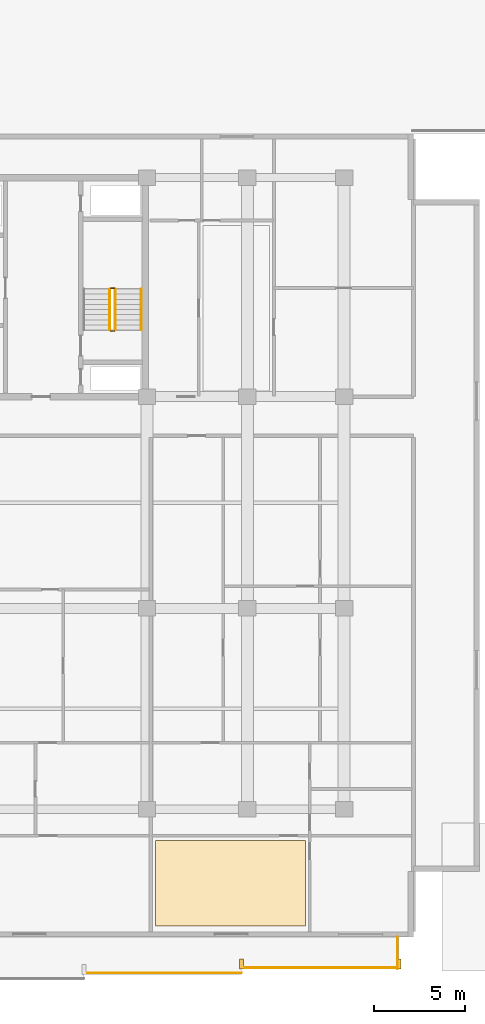
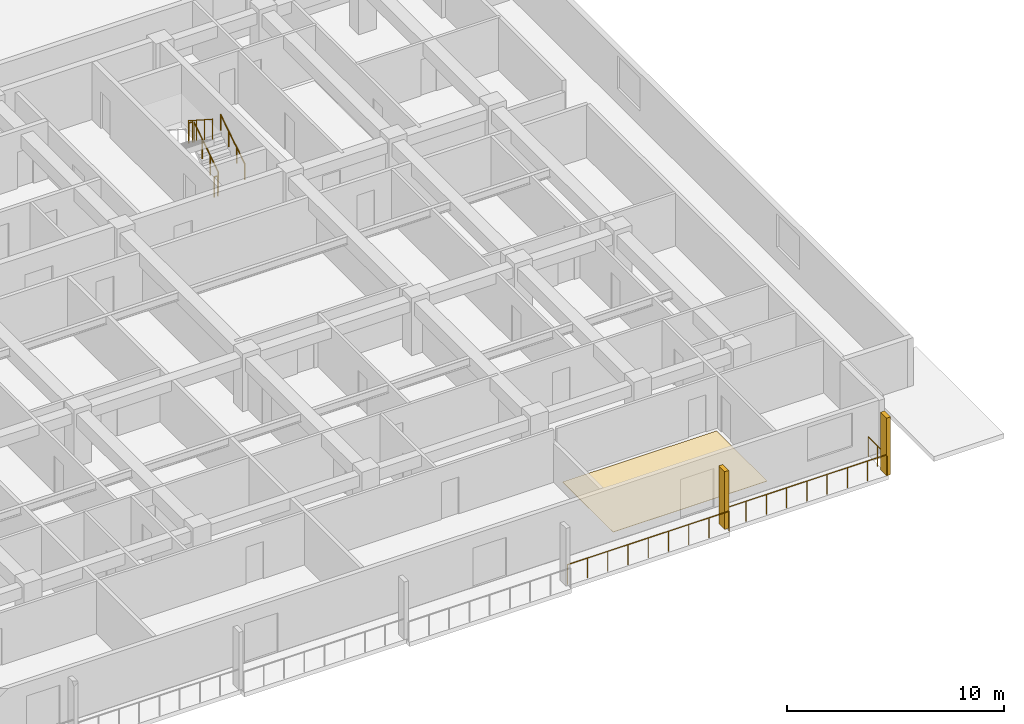
# One storey, part 21 of 24: 8 railings, 2 shading devices, 1 covering.
"""IFC4 building model written with IfcOpenShell, lengths in metres."""

from ifc_helpers import new_model, si_unit, direction, frame, origin, origin_2d, place, context, subcontext, project, spatial, polyline, rectangle, circle, outline, extrude, material, layer, layer_set, type_object, element, save


model = new_model("IFC4")

# Units and contexts
model_context = context("Model", 3, precision=1e-05, world=origin(), true_north=direction((0.0, 1.0)))
body_context = subcontext(model_context, "Body", "Model", "MODEL_VIEW")
ifc_project = project(units=[si_unit("LENGTHUNIT", "METRE"), si_unit("AREAUNIT", "SQUARE_METRE"), si_unit("VOLUMEUNIT", "CUBIC_METRE"), si_unit("PLANEANGLEUNIT", "RADIAN"), si_unit("MASSUNIT", "GRAM", prefix="KILO")], contexts=[model_context])

# Site, building, storey
site_placement = place(None, origin())
site = spatial("IfcSite", under=ifc_project, at=site_placement, CompositionType="ELEMENT")
building_placement = place(site_placement, origin())
building = spatial("IfcBuilding", under=site, at=building_placement, Name="Korimba Cascade Residences", CompositionType="ELEMENT")
storey_placement = place(building_placement, frame((0.0, 0.0, 24.0)))
storey = spatial("IfcBuildingStorey", under=building, at=storey_placement, Name="L05", CompositionType="ELEMENT", Elevation=24.0)

# Covering
ifc_material_1 = material(Name="Engineered Spotted-Gum Timber Flooring", Category="wood")
ifc_layer = layer(ifc_material_1, 0.02001953125)
ifc_layer_set = layer_set([ifc_layer], Name="Engineered Spotted-Gum Timber Flooring")
covering_type = type_object("IfcCoveringType", Name="COV-FLR-TIM", PredefinedType="FLOORING", material=ifc_layer_set)
covering_placement = place(storey_placement, origin())
element("IfcCovering", 1, at=covering_placement, inside=storey, type_object=covering_type, Name="L05 Spotted-Gum Timber Flooring L05-T2-U05-L", PredefinedType="FLOORING", context=body_context, shape_type="SweptSolid", body=[
    extrude(outline(polyline([(118.5771484375, -10.580078125), (126.7900390625, -10.580078125), (126.7900390625, -5.919921875), (118.5771484375, -5.919921875), (118.5771484375, -10.580078125)])), origin(), (0.0, 0.0, 1.0), 0.02001953125),
])

# Railings
ifc_material_2 = material(Name="Laminated Glass and Bronze Balustrade", Category="glass")
railing_type_1 = type_object("IfcRailingType", Name="RLG-LOG-1150", PredefinedType="BALUSTRADE", material=ifc_material_2)
railing_1_placement = place(storey_placement, frame((114.642822265625, -13.169921875, 0.0)))
element("IfcRailing", 2, at=railing_1_placement, inside=storey, type_object=railing_type_1, Name="L05 Perimeter Guardrail RLG-L05-T2-LOG-05", PredefinedType="BALUSTRADE", context=body_context, shape_type="SweptSolid", body=[
    extrude(circle(Radius=0.02392578125, at=origin_2d()), frame((0.0, 0.0, 1.1259765625), z_axis=(1.0, 0.0, 0.0), x_axis=(0.0, 1.0, 0.0)), (0.0, 0.0, 1.0), 8.628662109375),
    extrude(circle(Radius=0.02099609375, at=origin_2d()), origin(), (0.0, 0.0, 1.0), 1.101806640625),
    extrude(circle(Radius=0.02099609375, at=origin_2d()), frame((1.07861328125, 0.0, 0.0)), (0.0, 0.0, 1.0), 1.101806640625),
    extrude(circle(Radius=0.02099609375, at=origin_2d()), frame((2.1572265625, 0.0, 0.0)), (0.0, 0.0, 1.0), 1.101806640625),
    extrude(circle(Radius=0.02099609375, at=origin_2d()), frame((3.23583984375, 0.0, 0.0)), (0.0, 0.0, 1.0), 1.101806640625),
    extrude(circle(Radius=0.02099609375, at=origin_2d()), frame((4.314453125, 0.0, 0.0)), (0.0, 0.0, 1.0), 1.101806640625),
    extrude(circle(Radius=0.02099609375, at=origin_2d()), frame((5.392822265625, 0.0, 0.0)), (0.0, 0.0, 1.0), 1.101806640625),
    extrude(circle(Radius=0.02099609375, at=origin_2d()), frame((6.471435546875, 0.0, 0.0)), (0.0, 0.0, 1.0), 1.101806640625),
    extrude(circle(Radius=0.02099609375, at=origin_2d()), frame((7.550048828125, 0.0, 0.0)), (0.0, 0.0, 1.0), 1.101806640625),
    extrude(circle(Radius=0.02099609375, at=origin_2d()), frame((8.628662109375, 0.0, 0.0)), (0.0, 0.0, 1.0), 1.101806640625),
])
railing_2_placement = place(storey_placement, frame((123.271484375, -12.8701171875, 0.0)))
element("IfcRailing", 3, at=railing_2_placement, inside=storey, type_object=railing_type_1, Name="L05 Perimeter Guardrail RLG-L05-T2-LOG-06", PredefinedType="BALUSTRADE", context=body_context, shape_type="SweptSolid", body=[
    extrude(circle(Radius=0.02392578125, at=origin_2d()), frame((0.0, 0.0, 1.1259765625), z_axis=(1.0, 0.0, 0.0), x_axis=(0.0, 1.0, 0.0)), (0.0, 0.0, 1.0), 8.62841796875),
    extrude(circle(Radius=0.02099609375, at=origin_2d()), origin(), (0.0, 0.0, 1.0), 1.101806640625),
    extrude(circle(Radius=0.02099609375, at=origin_2d()), frame((1.07861328125, 0.0, 0.0)), (0.0, 0.0, 1.0), 1.101806640625),
    extrude(circle(Radius=0.02099609375, at=origin_2d()), frame((2.1572265625, 0.0, 0.0)), (0.0, 0.0, 1.0), 1.101806640625),
    extrude(circle(Radius=0.02099609375, at=origin_2d()), frame((3.235595703125, 0.0, 0.0)), (0.0, 0.0, 1.0), 1.101806640625),
    extrude(circle(Radius=0.02099609375, at=origin_2d()), frame((4.314208984375, 0.0, 0.0)), (0.0, 0.0, 1.0), 1.101806640625),
    extrude(circle(Radius=0.02099609375, at=origin_2d()), frame((5.392822265625, 0.0, 0.0)), (0.0, 0.0, 1.0), 1.101806640625),
    extrude(circle(Radius=0.02099609375, at=origin_2d()), frame((6.47119140625, 0.0, 0.0)), (0.0, 0.0, 1.0), 1.101806640625),
    extrude(circle(Radius=0.02099609375, at=origin_2d()), frame((7.5498046875, 0.0, 0.0)), (0.0, 0.0, 1.0), 1.101806640625),
    extrude(circle(Radius=0.02099609375, at=origin_2d()), frame((8.62841796875, 0.0, 0.0)), (0.0, 0.0, 1.0), 1.101806640625),
])
railing_3_placement = place(storey_placement, frame((131.820068359375, -12.949951171875, 0.0)))
element("IfcRailing", 4, at=railing_3_placement, inside=storey, type_object=railing_type_1, Name="L05 Perimeter Guardrail RLG-L05-T2-LOG-07", PredefinedType="BALUSTRADE", context=body_context, shape_type="SweptSolid", body=[
    extrude(circle(Radius=0.02392578125, at=origin_2d()), frame((0.0, 0.0, 1.1259765625), z_axis=(0.0, 1.0, 0.0), x_axis=(-1.0, 0.0, 0.0)), (0.0, 0.0, 1.0), 1.75),
    extrude(circle(Radius=0.02099609375, at=origin_2d()), origin(), (0.0, 0.0, 1.0), 1.101806640625),
    extrude(circle(Radius=0.02099609375, at=origin_2d()), frame((0.0, 0.875, 0.0)), (0.0, 0.0, 1.0), 1.101806640625),
    extrude(circle(Radius=0.02099609375, at=origin_2d()), frame((0.0, 1.75, 0.0)), (0.0, 0.0, 1.0), 1.101806640625),
])
ifc_material_3 = material(Name="Painted Steel Stairwell Guardrail", Category="steel")
railing_type_2 = type_object("IfcRailingType", Name="RLG-ST-GD1150", PredefinedType="GUARDRAIL", material=ifc_material_3)
railing_4_placement = place(storey_placement, frame((116.3701171875, 22.050048828125, 0.1806640625)))
element("IfcRailing", 5, at=railing_4_placement, inside=storey, type_object=railing_type_2, Name="L05 ST-E2 stair guard 1", PredefinedType="GUARDRAIL", context=body_context, shape_type="SweptSolid", body=[
    extrude(circle(Radius=0.02392578125, at=origin_2d()), frame((0.0, 0.0, 1.1259765625), z_axis=(0.0, 0.840436612492, 0.541909863706), x_axis=(-1.0, 0.0, 0.0)), (0.0, 0.0, 1.0), 2.665283203125),
    extrude(circle(Radius=0.02099609375, at=origin_2d()), origin(), (0.0, 0.0, 1.0), 1.101806640625),
    extrude(circle(Radius=0.02099609375, at=origin_2d()), frame((0.0, 0.74658203125, 0.4814453125)), (0.0, 0.0, 1.0), 1.101806640625),
    extrude(circle(Radius=0.02099609375, at=origin_2d()), frame((0.0, 1.493408203125, 0.962890625)), (0.0, 0.0, 1.0), 1.101806640625),
    extrude(circle(Radius=0.02099609375, at=origin_2d()), frame((0.0, 2.239990234375, 1.4443359375)), (0.0, 0.0, 1.0), 1.101806640625),
])
railing_5_placement = place(storey_placement, frame((116.320068359375, 24.340087890625, 1.625)))
element("IfcRailing", 6, at=railing_5_placement, inside=storey, type_object=railing_type_2, Name="L05 ST-E2 stair guard 2", PredefinedType="GUARDRAIL", context=body_context, shape_type="SweptSolid", body=[
    extrude(circle(Radius=0.02392578125, at=origin_2d()), frame((0.0, 0.0, 1.1259765625), z_axis=(-1.0, 0.0, 0.0), x_axis=(0.0, -1.0, 0.0)), (0.0, 0.0, 1.0), 0.199951171875),
    extrude(circle(Radius=0.02099609375, at=origin_2d()), origin(), (0.0, 0.0, 1.0), 1.101806640625),
    extrude(circle(Radius=0.02099609375, at=origin_2d()), frame((-0.199951171875, 0.0, 0.0)), (0.0, 0.0, 1.0), 1.101806640625),
])
railing_6_placement = place(storey_placement, frame((116.070068359375, 24.2900390625, 1.8056640625)))
element("IfcRailing", 7, at=railing_6_placement, inside=storey, type_object=railing_type_2, Name="L05 ST-E2 stair guard 3", PredefinedType="GUARDRAIL", context=body_context, shape_type="SweptSolid", body=[
    extrude(circle(Radius=0.02392578125, at=origin_2d()), frame((0.0, 0.0, 1.1259765625), z_axis=(0.0, -0.840436612492, 0.541909863706), x_axis=(1.0, 0.0, 0.0)), (0.0, 0.0, 1.0), 2.665283203125),
    extrude(circle(Radius=0.02099609375, at=origin_2d()), origin(), (0.0, 0.0, 1.0), 1.101806640625),
    extrude(circle(Radius=0.02099609375, at=origin_2d()), frame((0.0, -0.74658203125, 0.4814453125)), (0.0, 0.0, 1.0), 1.101806640625),
    extrude(circle(Radius=0.02099609375, at=origin_2d()), frame((0.0, -1.493408203125, 0.962890625)), (0.0, 0.0, 1.0), 1.101806640625),
    extrude(circle(Radius=0.02099609375, at=origin_2d()), frame((0.0, -2.239990234375, 1.4443359375)), (0.0, 0.0, 1.0), 1.101806640625),
])
railing_7_placement = place(storey_placement, frame((116.320068359375, 22.0, 0.0)))
element("IfcRailing", 8, at=railing_7_placement, inside=storey, type_object=railing_type_2, Name="L05 ST-E2 stair guard 4", PredefinedType="GUARDRAIL", context=body_context, shape_type="SweptSolid", body=[
    extrude(circle(Radius=0.02392578125, at=origin_2d()), frame((0.0, 0.0, 1.1259765625), z_axis=(-1.0, 0.0, 0.0), x_axis=(0.0, -1.0, 0.0)), (0.0, 0.0, 1.0), 0.199951171875),
    extrude(circle(Radius=0.02099609375, at=origin_2d()), origin(), (0.0, 0.0, 1.0), 1.101806640625),
    extrude(circle(Radius=0.02099609375, at=origin_2d()), frame((-0.199951171875, 0.0, 0.0)), (0.0, 0.0, 1.0), 1.101806640625),
])
ifc_material_4 = material(Name="Brushed Stainless Steel Handrail", Category="steel")
railing_type_3 = type_object("IfcRailingType", Name="RLG-ST-HR900", PredefinedType="HANDRAIL", material=ifc_material_4)
railing_8_placement = place(storey_placement, frame((117.7900390625, 22.050048828125, 0.364990234375)))
element("IfcRailing", 9, at=railing_8_placement, inside=storey, type_object=railing_type_3, Name="L05 ST-E2 stair handrail 1", PredefinedType="HANDRAIL", context=body_context, shape_type="SweptSolid", body=[
    extrude(circle(Radius=0.02392578125, at=origin_2d()), frame((0.0, 0.0, 0.8759765625), z_axis=(0.0, 0.840436612492, 0.541909863706), x_axis=(-1.0, 0.0, 0.0)), (0.0, 0.0, 1.0), 2.665283203125),
    extrude(circle(Radius=0.02099609375, at=origin_2d()), origin(), (0.0, 0.0, 1.0), 0.851806640625),
    extrude(circle(Radius=0.02099609375, at=origin_2d()), frame((0.0, 0.74658203125, 0.4814453125)), (0.0, 0.0, 1.0), 0.851806640625),
    extrude(circle(Radius=0.02099609375, at=origin_2d()), frame((0.0, 1.493408203125, 0.962890625)), (0.0, 0.0, 1.0), 0.851806640625),
    extrude(circle(Radius=0.02099609375, at=origin_2d()), frame((0.0, 2.239990234375, 1.4443359375)), (0.0, 0.0, 1.0), 0.851806640625),
])

# Shading devices
ifc_material_5 = material(Name="Honed Sandstone Precast Fin", Category="masonry")
shading_device_type = type_object("IfcShadingDeviceType", Name="SHD-FIN-550", PredefinedType="USERDEFINED", material=ifc_material_5)
for number, where, z_axis, x_axis, name in (
    (10, (123.271484375, -12.675048828125, 0.0), (0.0, 0.0, 1.0), (1.0, 0.0, 0.0), "L05 T2 Warm-Stone Loggia Fin 7"),
    (11, (131.89990234375, -12.675048828125, 0.0), (0.0, 0.0, 1.0), (1.0, 0.0, 0.0), "L05 T2 Warm-Stone Loggia Fin 8"),
):
    element("IfcShadingDevice", number, at=place(storey_placement, frame(where, z_axis=z_axis, x_axis=x_axis)), inside=storey, type_object=shading_device_type, Name=name, ObjectType="FIN", PredefinedType="USERDEFINED", context=body_context, shape_type="SweptSolid", body=[
        extrude(rectangle(XDim=0.219970703125, YDim=0.550048828125, at=origin_2d()), origin(), (0.0, 0.0, 1.0), 3.25),
    ])

save(model, "model.ifc")
